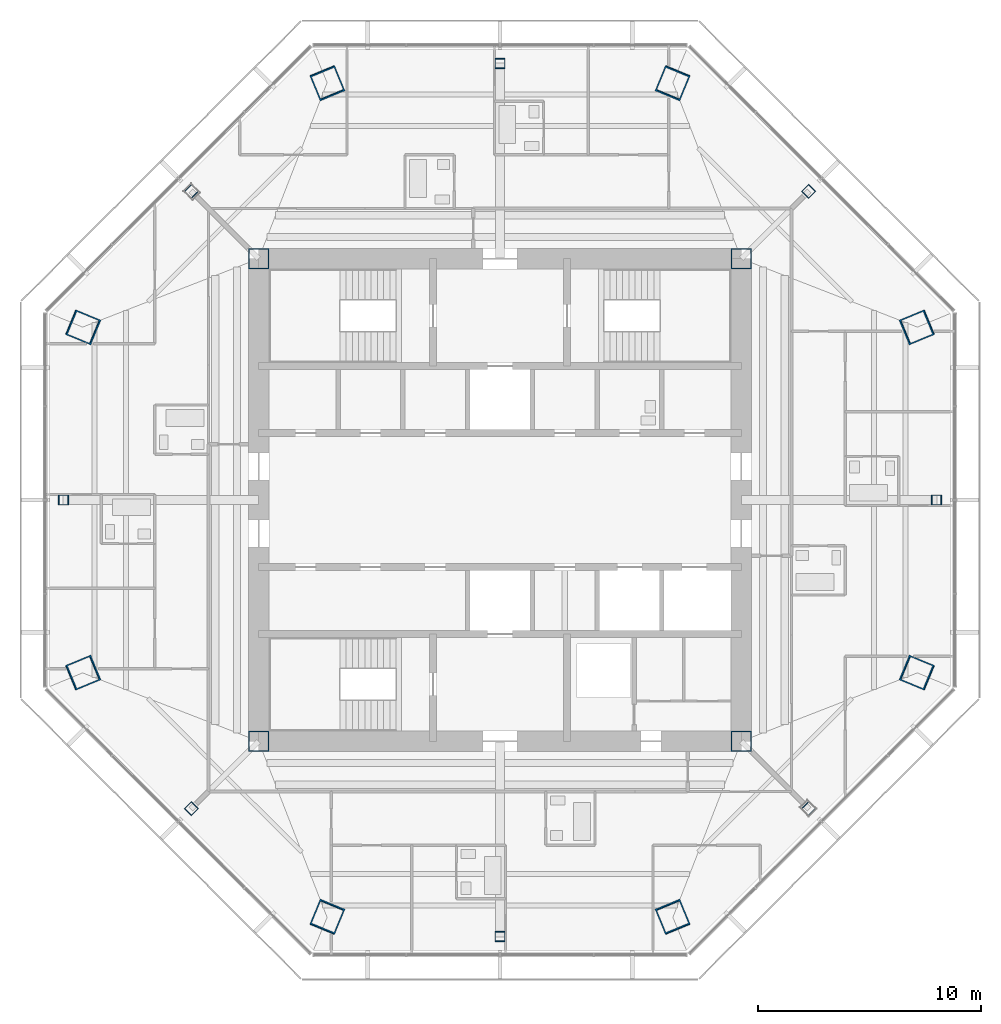
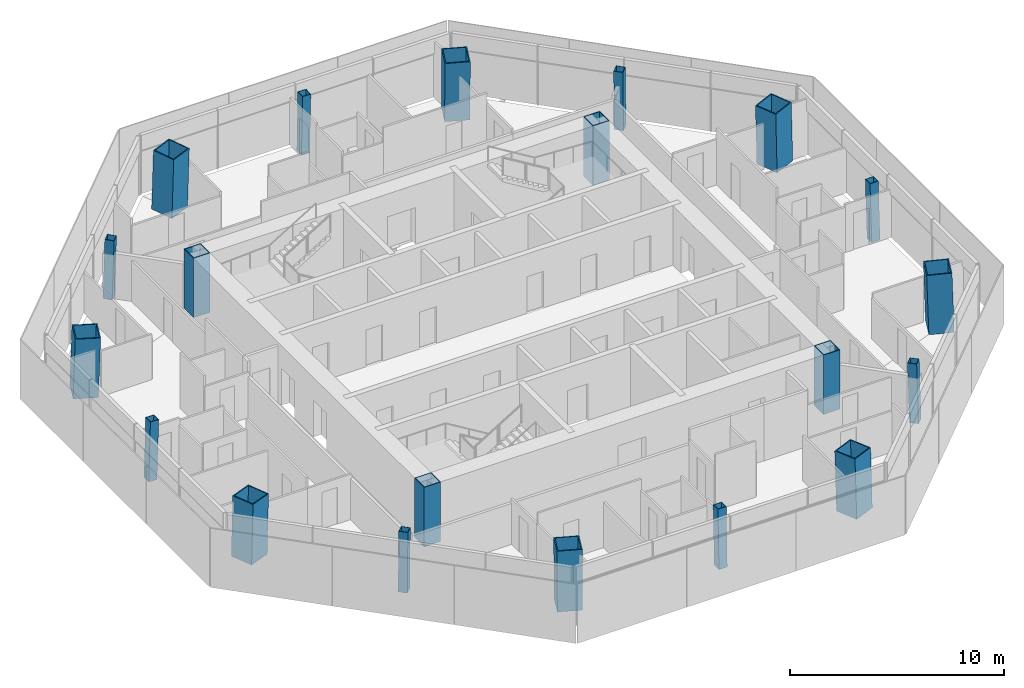
# One storey, part 1 of 15: 20 columns.
"""IFC4 building model written with IfcOpenShell, lengths in metres."""

from ifc_helpers import new_model, si_unit, direction, frame, origin, origin_2d, place, context, subcontext, project, spatial, hollow_rectangle, extrude, material, material_profile, profile_set, type_object, element, save


model = new_model("IFC4")

# Units and contexts
model_context = context("Model", 3, precision=1e-05, world=origin(), true_north=direction((0.0, 1.0)))
body_context = subcontext(model_context, "Body", "Model", "MODEL_VIEW")
ifc_project = project(units=[si_unit("LENGTHUNIT", "METRE"), si_unit("AREAUNIT", "SQUARE_METRE"), si_unit("VOLUMEUNIT", "CUBIC_METRE"), si_unit("PLANEANGLEUNIT", "RADIAN"), si_unit("MASSUNIT", "GRAM", prefix="KILO")], contexts=[model_context])

# Site, building, storey
site_placement = place(None, origin())
site = spatial("IfcSite", under=ifc_project, at=site_placement, CompositionType="ELEMENT")
building_placement = place(site_placement, origin())
building = spatial("IfcBuilding", under=site, at=building_placement, Name="Mashrafa Tower", CompositionType="ELEMENT")
storey_placement = place(building_placement, frame((0.0, 0.0, 270.800048828125)))
storey = spatial("IfcBuildingStorey", under=building, at=storey_placement, Name="L65", CompositionType="ELEMENT", Elevation=270.800048828125)

# Columns
ifc_material_1 = material(Name="Steel ASTM A572 Gr 50", Category="steel")
ifc_material_profile_1 = material_profile(ifc_material_1, hollow_rectangle(XDim=0.89990234375, YDim=0.89990234375, WallThickness=0.0400390625, at=origin_2d()), Name="BOX900X900X40")
ifc_profile_set_1 = profile_set([ifc_material_profile_1], Name="Steel ASTM A572 Gr 50")
column_type_1 = type_object("IfcColumnType", Name="Core corner column BOX900X900X40", PredefinedType="COLUMN", material=ifc_profile_set_1)
for number, where, z_axis, x_axis, name in (
    (1, (10.800048828125, 10.800048828125, 0.0), (0.0, 0.0, 1.0), (1.0, 0.0, 0.0), "Core corner column CC-NE L65"),
    (2, (-10.800048828125, 10.800048828125, 0.0), (0.0, 0.0, 1.0), (1.0, 0.0, 0.0), "Core corner column CC-NW L65"),
    (3, (-10.800048828125, -10.800048828125, 0.0), (0.0, 0.0, 1.0), (1.0, 0.0, 0.0), "Core corner column CC-SW L65"),
    (4, (10.800048828125, -10.800048828125, 0.0), (0.0, 0.0, 1.0), (1.0, 0.0, 0.0), "Core corner column CC-SE L65"),
):
    element("IfcColumn", number, at=place(storey_placement, frame(where, z_axis=z_axis, x_axis=x_axis)), inside=storey, type_object=column_type_1, Name=name, PredefinedType="COLUMN", context=body_context, shape_type="SweptSolid", body=[
        extrude(hollow_rectangle(XDim=0.89990234375, YDim=0.89990234375, WallThickness=0.0400390625, at=origin_2d()), origin(), (0.0, 0.0, 1.0), 3.39990234375),
    ])
ifc_material_2 = material(Name="Steel ASTM A572 Gr 50", Category="steel")
ifc_material_profile_2 = material_profile(ifc_material_2, hollow_rectangle(XDim=1.199951171875, YDim=1.199951171875, WallThickness=0.054931640625, at=origin_2d()), Name="BOX1200X1200X55")
ifc_profile_set_2 = profile_set([ifc_material_profile_2], Name="Steel ASTM A572 Gr 50")
column_type_2 = type_object("IfcColumnType", Name="Mega column CFST BOX1200X1200X55", PredefinedType="COLUMN", material=ifc_profile_set_2)
for number, where, z_axis, x_axis, name in (
    (5, (18.676025390625, 7.73583984375, 0.0), (-0.02827915051, -0.01169924247, 0.999531598986), (0.382282742426, -0.924045401938, 0.0), "Mega column MC1 L65"),
    (6, (7.73583984375, 18.676025390625, 0.0), (-0.01169924247, -0.02827915051, 0.999531598986), (0.924045401938, -0.382282742426, 0.0), "Mega column MC2 L65"),
    (7, (-7.73583984375, 18.676025390625, 0.0), (0.01169924247, -0.02827915051, 0.999531598986), (0.924045401938, 0.382282742426, 0.0), "Mega column MC3 L65"),
    (8, (-18.676025390625, 7.73583984375, 0.0), (0.02827915051, -0.01169924247, 0.999531598986), (0.382282742426, 0.924045401938, 0.0), "Mega column MC4 L65"),
    (9, (-18.676025390625, -7.73583984375, 0.0), (0.02827915051, 0.01169924247, 0.999531598986), (-0.382282742426, 0.924045401938, 0.0), "Mega column MC5 L65"),
    (10, (-7.73583984375, -18.676025390625, 0.0), (0.01169924247, 0.02827915051, 0.999531598986), (-0.924045401938, 0.382282742426, 0.0), "Mega column MC6 L65"),
    (11, (7.73583984375, -18.676025390625, 0.0), (-0.01169924247, 0.02827915051, 0.999531598986), (-0.924045401938, -0.382282742426, 0.0), "Mega column MC7 L65"),
    (12, (18.676025390625, -7.73583984375, 0.0), (-0.02827915051, 0.01169924247, 0.999531598986), (-0.382282742426, -0.924045401938, 0.0), "Mega column MC8 L65"),
):
    element("IfcColumn", number, at=place(storey_placement, frame(where, z_axis=z_axis, x_axis=x_axis)), inside=storey, type_object=column_type_2, Name=name, PredefinedType="COLUMN", context=body_context, shape_type="SweptSolid", body=[
        extrude(hollow_rectangle(XDim=1.199951171875, YDim=1.199951171875, WallThickness=0.054931640625, at=origin_2d()), origin(), (0.0, 0.0, 1.0), 3.401611328125),
    ])
ifc_material_3 = material(Name="Steel ASTM A572 Gr 50", Category="steel")
ifc_material_profile_3 = material_profile(ifc_material_3, hollow_rectangle(XDim=0.449951171875, YDim=0.449951171875, WallThickness=0.02001953125, at=origin_2d()), Name="BOX450X450X20")
ifc_profile_set_3 = profile_set([ifc_material_profile_3], Name="Steel ASTM A572 Gr 50")
column_type_3 = type_object("IfcColumnType", Name="Secondary column BOX450X450X20", PredefinedType="COLUMN", material=ifc_profile_set_3)
for number, where, z_axis, x_axis, name in (
    (13, (19.55419921875, 0.0, 0.0), (-0.028281086024, 0.0, 0.999600010091), (0.0, -1.0, 0.0), "Secondary column SC1 L65"),
    (14, (13.826904296875, 13.826904296875, 0.0), (-0.020026431307, -0.020026431307, 0.999598861593), (0.707106781187, -0.707106781187, 0.0), "Secondary column SC2 L65"),
    (15, (0.0, 19.55419921875, 0.0), (0.0, -0.028281086024, 0.999600010091), (1.0, 0.0, 0.0), "Secondary column SC3 L65"),
    (16, (-13.826904296875, 13.826904296875, 0.0), (0.020026431307, -0.020026431307, 0.999598861593), (0.707106781187, 0.707106781187, 0.0), "Secondary column SC4 L65"),
    (17, (-19.55419921875, 0.0, 0.0), (0.028281086024, 0.0, 0.999600010091), (0.0, 1.0, 0.0), "Secondary column SC5 L65"),
    (18, (-13.826904296875, -13.826904296875, 0.0), (0.020026431307, 0.020026431307, 0.999598861593), (-0.707106781187, 0.707106781187, 0.0), "Secondary column SC6 L65"),
    (19, (0.0, -19.55419921875, 0.0), (0.0, 0.028281086024, 0.999600010091), (-1.0, 0.0, 0.0), "Secondary column SC7 L65"),
    (20, (13.826904296875, -13.826904296875, 0.0), (-0.020026431307, 0.020026431307, 0.999598861593), (-0.707106781187, -0.707106781187, 0.0), "Secondary column SC8 L65"),
):
    element("IfcColumn", number, at=place(storey_placement, frame(where, z_axis=z_axis, x_axis=x_axis)), inside=storey, type_object=column_type_3, Name=name, PredefinedType="COLUMN", context=body_context, shape_type="SweptSolid", body=[
        extrude(hollow_rectangle(XDim=0.449951171875, YDim=0.449951171875, WallThickness=0.02001953125, at=origin_2d()), origin(), (0.0, 0.0, 1.0), 3.4013671875),
    ])

save(model, "model.ifc")
